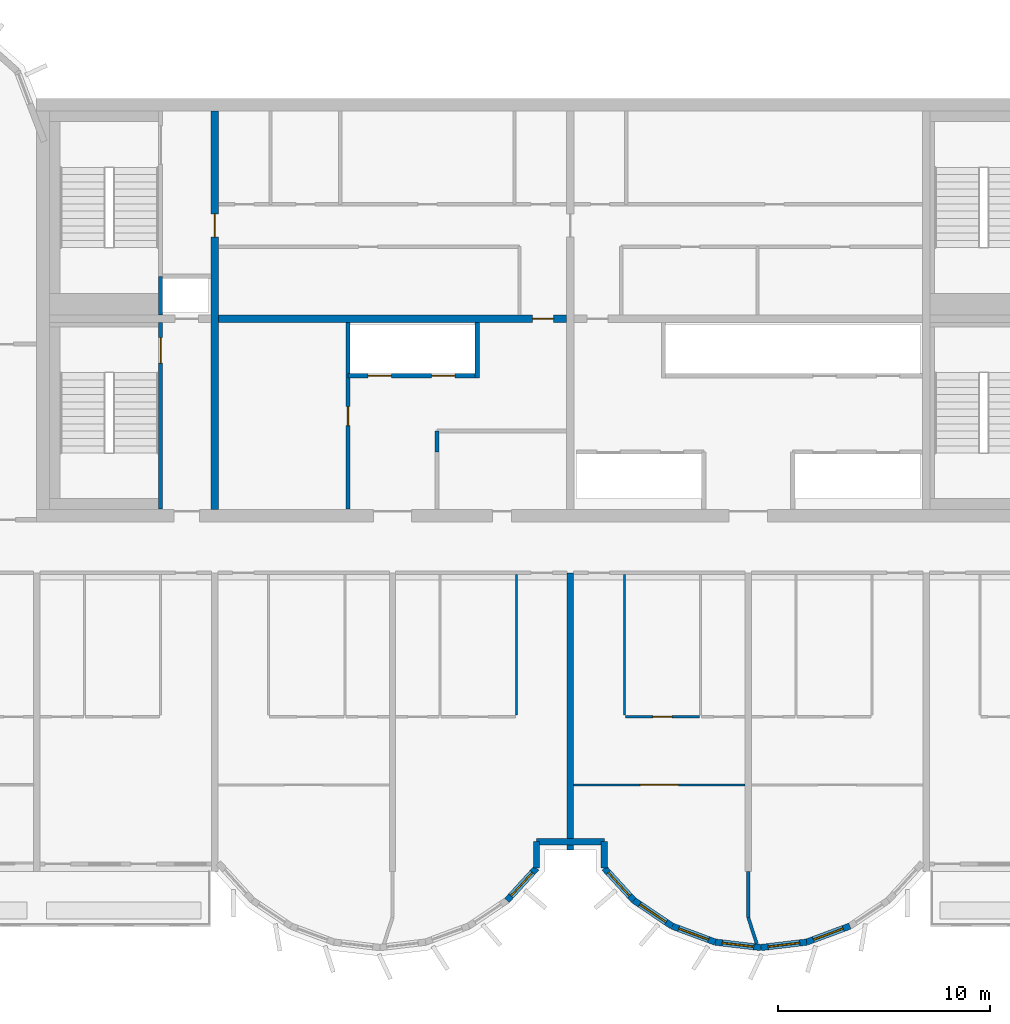
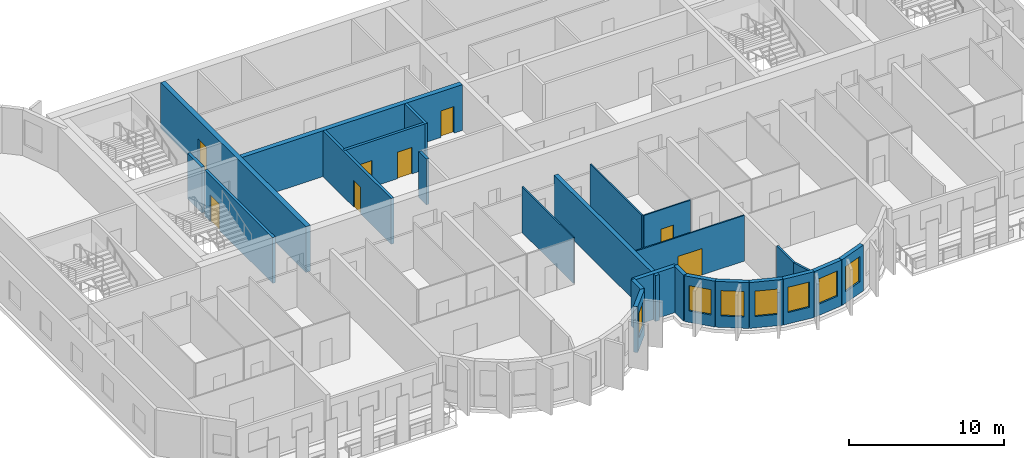
# One storey, part 4 of 11: 25 walls, 8 doors, 7 windows, 15 openings.
"""IFC4 building model written with IfcOpenShell, lengths in metres."""

from ifc_helpers import new_model, si_unit, direction, frame, frame_2d, origin, place, context, subcontext, project, spatial, rectangle, extrude, source, transform, mapped, material, layer, layer_set, type_object, element, fill, save


model = new_model("IFC4")

# Units and contexts
model_context = context("Model", 3, precision=1e-05, world=origin(), true_north=direction((0.0, 1.0)))
body_context = subcontext(model_context, "Body", "Model", "MODEL_VIEW")
ifc_project = project(units=[si_unit("LENGTHUNIT", "METRE"), si_unit("AREAUNIT", "SQUARE_METRE"), si_unit("VOLUMEUNIT", "CUBIC_METRE"), si_unit("PLANEANGLEUNIT", "RADIAN"), si_unit("MASSUNIT", "GRAM", prefix="KILO")], contexts=[model_context])

# Site, building, storey
site_placement = place(None, origin())
site = spatial("IfcSite", under=ifc_project, at=site_placement, CompositionType="ELEMENT")
building_placement = place(site_placement, origin())
building = spatial("IfcBuilding", under=site, at=building_placement, Name="Vanashikhar Sky Hotel", CompositionType="ELEMENT")
storey_placement = place(building_placement, frame((0.0, 0.0, 249.10009765625)))
storey = spatial("IfcBuildingStorey", under=building, at=storey_placement, Name="L60", CompositionType="ELEMENT", Elevation=249.10009765625)

# Wall, opening, door
ifc_material_1 = material(Name="Concrete M60", Category="concrete")
ifc_layer_1 = layer(ifc_material_1, 0.35009765625)
ifc_layer_set_1 = layer_set([ifc_layer_1], Name="RC core inner wall 350 Concrete M60")
wall_type_1 = type_object("IfcWallType", Name="RC core inner wall 350 Concrete M60", PredefinedType="SHEAR", material=ifc_layer_set_1)
shared_shape_1 = source(origin(), body_context, "Body", "SweptSolid", [
    extrude(rectangle(XDim=18.7998046875, YDim=0.35009765625, at=frame_2d((9.39990234375, 0.0))), origin(), (0.0, 0.0, 1.0), 3.619873046875),
])
wall_1_placement = place(storey_placement, frame((33.60009765625, 22.60009765625, 0.0), z_axis=(0.0, 0.0, 1.0), x_axis=(0.0, 1.0, 0.0)))
wall_1 = element("IfcWall", 1, at=wall_1_placement, inside=storey, type_object=wall_type_1, Name="KW-L60-KX1", PredefinedType="SHEAR", context=body_context, shape_type="MappedRepresentation", body=[
    mapped(shared_shape_1, transform((0.0, 0.0, 0.0), scale=1.0)),
])
shared_shape_2 = source(origin(), body_context, "Body", "SweptSolid", [
    extrude(rectangle(XDim=1.10009765625, YDim=2.10009765625, at=frame_2d((0.550048828125, 1.050048828125))), frame((0.0, 0.18505859375, 0.0), z_axis=(0.0, -1.0, 0.0), x_axis=(1.0, 0.0, 0.0)), (0.0, 0.0, 1.0), 0.3701171875),
])
opening_1_placement = place(wall_1_placement, frame((12.85009765625, 0.0, 0.0)))
opening_1 = element("IfcOpeningElement", 2, at=opening_1_placement, cuts=wall_1, Name="Opening DC-4-C", PredefinedType="OPENING", context=body_context, shape_type="MappedRepresentation", body=[
    mapped(shared_shape_2, transform((0.0, 0.0, 0.0), scale=1.0)),
])
ifc_material_2 = material(Name="Steel", Category="steel")
door_type_1 = type_object("IfcDoorType", Name="Service door 1100 FD60", OperationType="NOTDEFINED", PredefinedType="DOOR", material=ifc_material_2)
shared_shape_3 = source(origin(), body_context, "Body", "SweptSolid", [
    extrude(rectangle(XDim=1.10009765625, YDim=2.10009765625, at=frame_2d((0.550048828125, 1.050048828125))), frame((0.0, 0.02490234375, 0.0), z_axis=(0.0, -1.0, 0.0), x_axis=(1.0, 0.0, 0.0)), (0.0, 0.0, 1.0), 0.050048828125),
])
door_1_placement = place(opening_1_placement, origin())
door_1 = element("IfcDoor", 3, at=door_1_placement, inside=storey, type_object=door_type_1, Name="Service door 1100 FD60", OperationType="SINGLE_SWING_LEFT", OverallHeight=2.10009765625, OverallWidth=1.10009765625, PredefinedType="DOOR", context=body_context, shape_type="MappedRepresentation", body=[
    mapped(shared_shape_3, transform((0.0, 0.0, 0.0), scale=1.0)),
])
fill(opening_1, door_1)

shared_shape_4 = source(origin(), body_context, "Body", "SweptSolid", [
    extrude(rectangle(XDim=16.4501953125, YDim=0.35009765625, at=frame_2d((8.22509765625, 0.0))), origin(), (0.0, 0.0, 1.0), 3.619873046875),
])
wall_2_placement = place(storey_placement, frame((33.77490234375, 31.60009765625, 0.0), z_axis=(0.0, 0.0, 1.0), x_axis=(1.0, 0.0, 0.0)))
wall_2 = element("IfcWall", 4, at=wall_2_placement, inside=storey, type_object=wall_type_1, Name="KW-L60-KY2", PredefinedType="SHEAR", context=body_context, shape_type="MappedRepresentation", body=[
    mapped(shared_shape_4, transform((0.0, 0.0, 0.0), scale=1.0)),
])
shared_shape_5 = source(origin(), body_context, "Body", "SweptSolid", [
    extrude(rectangle(XDim=1.0, YDim=2.10009765625, at=frame_2d((0.5, 1.050048828125))), frame((0.0, 0.18505859375, 0.0), z_axis=(0.0, -1.0, 0.0), x_axis=(1.0, 0.0, 0.0)), (0.0, 0.0, 1.0), 0.3701171875),
])
opening_2_placement = place(wall_2_placement, frame((14.8369140625, 0.0, 0.0)))
opening_2 = element("IfcOpeningElement", 5, at=opening_2_placement, cuts=wall_2, Name="Opening DC-4", PredefinedType="OPENING", context=body_context, shape_type="MappedRepresentation", body=[
    mapped(shared_shape_5, transform((0.0, 0.0, 0.0), scale=1.0)),
])
door_type_2 = type_object("IfcDoorType", Name="Service door 1000 FD60", OperationType="NOTDEFINED", PredefinedType="DOOR", material=ifc_material_2)
shared_shape_6 = source(origin(), body_context, "Body", "SweptSolid", [
    extrude(rectangle(XDim=1.0, YDim=2.10009765625, at=frame_2d((0.5, 1.050048828125))), frame((0.0, 0.02490234375, 0.0), z_axis=(0.0, -1.0, 0.0), x_axis=(1.0, 0.0, 0.0)), (0.0, 0.0, 1.0), 0.050048828125),
])
door_2_placement = place(opening_2_placement, origin())
door_2 = element("IfcDoor", 6, at=door_2_placement, inside=storey, type_object=door_type_2, Name="Service door 1000 FD60", OperationType="SINGLE_SWING_LEFT", OverallHeight=2.10009765625, OverallWidth=1.0, PredefinedType="DOOR", context=body_context, shape_type="MappedRepresentation", body=[
    mapped(shared_shape_6, transform((0.0, 0.0, 0.0), scale=1.0)),
])
fill(opening_2, door_2)

# Wall
ifc_layer_2 = layer(ifc_material_1, 0.300048828125)
ifc_layer_set_2 = layer_set([ifc_layer_2], Name="RC shear wall 300 Concrete M60")
wall_type_2 = type_object("IfcWallType", Name="RC shear wall 300 Concrete M60", PredefinedType="SHEAR", material=ifc_layer_set_2)
shared_shape_7 = source(origin(), body_context, "Body", "SweptSolid", [
    extrude(rectangle(XDim=13.10009765625, YDim=0.300048828125, at=frame_2d((6.550048828125, 0.0))), origin(), (0.0, 0.0, 1.0), 3.619873046875),
])
wall_3_placement = place(storey_placement, frame((50.39990234375, 6.5, 0.0), z_axis=(0.0, 0.0, 1.0), x_axis=(0.0, 1.0, 0.0)))
element("IfcWall", 7, at=wall_3_placement, inside=storey, type_object=wall_type_2, Name="CW-L60-XW07-1", PredefinedType="SHEAR", context=body_context, shape_type="MappedRepresentation", body=[
    mapped(shared_shape_7, transform((0.0, 0.0, 0.0), scale=1.0)),
])

# Wall, opening, window
ifc_material_3 = material(Name="Concrete M50", Category="concrete")
ifc_layer_3 = layer(ifc_material_3, 0.300048828125)
ifc_layer_set_3 = layer_set([ifc_layer_3], Name="Lobe wall 300")
wall_type_3 = type_object("IfcWallType", Name="Lobe wall 300", PredefinedType="SOLIDWALL", material=ifc_layer_set_3)
shared_shape_8 = source(origin(), body_context, "Body", "SweptSolid", [
    extrude(rectangle(XDim=2.17578125, YDim=0.300048828125, at=frame_2d((1.087890625, 0.0))), origin(), (0.0, 0.0, 1.0), 3.619873046875),
])
wall_4_placement = place(storey_placement, frame((53.395751953125, 4.13134765625, 0.0), z_axis=(0.0, 0.0, 1.0), x_axis=(0.829590746428, -0.558371913192, 0.0)))
wall_4 = element("IfcWall", 8, at=wall_4_placement, inside=storey, type_object=wall_type_3, Name="Lobe wall", PredefinedType="SOLIDWALL", context=body_context, shape_type="MappedRepresentation", body=[
    mapped(shared_shape_8, transform((0.0, 0.0, 0.0), scale=1.0)),
])
shared_shape_9 = source(origin(), body_context, "Body", "SweptSolid", [
    extrude(rectangle(XDim=1.5, YDim=2.0, at=frame_2d((0.75, 1.0))), frame((0.0, 0.16015625, 0.0), z_axis=(0.0, -1.0, 0.0), x_axis=(1.0, 0.0, 0.0)), (0.0, 0.0, 1.0), 0.320068359375),
])
opening_3_placement = place(wall_4_placement, frame((0.337890625, 0.0, 0.89990234375)))
opening_3 = element("IfcOpeningElement", 9, at=opening_3_placement, cuts=wall_4, Name="Opening WN-2", PredefinedType="OPENING", context=body_context, shape_type="MappedRepresentation", body=[
    mapped(shared_shape_9, transform((0.0, 0.0, 0.0), scale=1.0)),
])
ifc_material_4 = material(Name="Glass", Category="glass")
window_type = type_object("IfcWindowType", Name="Lobe window 1500 x 2000", PartitioningType="SINGLE_PANEL", PredefinedType="WINDOW", material=ifc_material_4)
shared_shape_10 = source(origin(), body_context, "Body", "SweptSolid", [
    extrude(rectangle(XDim=1.5, YDim=2.0, at=frame_2d((0.75, 1.0))), frame((0.0, 0.030029296875, 0.0), z_axis=(0.0, -1.0, 0.0), x_axis=(1.0, 0.0, 0.0)), (0.0, 0.0, 1.0), 0.06005859375),
])
window_1_placement = place(opening_3_placement, origin())
window_1 = element("IfcWindow", 10, at=window_1_placement, inside=storey, type_object=window_type, Name="Window WN-2", OverallHeight=2.0, OverallWidth=1.5, PartitioningType="SINGLE_PANEL", PredefinedType="WINDOW", context=body_context, shape_type="MappedRepresentation", body=[
    mapped(shared_shape_10, transform((0.0, 0.0, 0.0), scale=1.0)),
])
fill(opening_3, window_1)

wall_5_placement = place(storey_placement, frame((55.20068359375, 2.91650390625, 0.0), z_axis=(0.0, 0.0, 1.0), x_axis=(0.93754555999, -0.347862505801, 0.0)))
wall_5 = element("IfcWall", 11, at=wall_5_placement, inside=storey, type_object=wall_type_3, Name="Lobe wall", PredefinedType="SOLIDWALL", context=body_context, shape_type="MappedRepresentation", body=[
    mapped(shared_shape_8, transform((0.0, 0.0, 0.0), scale=1.0)),
])
opening_4_placement = place(wall_5_placement, frame((0.337890625, 0.0, 0.89990234375)))
opening_4 = element("IfcOpeningElement", 12, at=opening_4_placement, cuts=wall_5, Name="Opening WN-2", PredefinedType="OPENING", context=body_context, shape_type="MappedRepresentation", body=[
    mapped(shared_shape_9, transform((0.0, 0.0, 0.0), scale=1.0)),
])
window_2_placement = place(opening_4_placement, origin())
window_2 = element("IfcWindow", 13, at=window_2_placement, inside=storey, type_object=window_type, Name="Window WN-2", OverallHeight=2.0, OverallWidth=1.5, PartitioningType="SINGLE_PANEL", PredefinedType="WINDOW", context=body_context, shape_type="MappedRepresentation", body=[
    mapped(shared_shape_10, transform((0.0, 0.0, 0.0), scale=1.0)),
])
fill(opening_4, window_2)

shared_shape_11 = source(origin(), body_context, "Body", "SweptSolid", [
    extrude(rectangle(XDim=2.174560546875, YDim=0.300048828125, at=frame_2d((1.08740234375, 0.0))), origin(), (0.0, 0.0, 1.0), 3.619873046875),
])
wall_6_placement = place(storey_placement, frame((57.240478515625, 2.15966796875, 0.0), z_axis=(0.0, 0.0, 1.0), x_axis=(0.993001132889, -0.118104826659, 0.0)))
wall_6 = element("IfcWall", 14, at=wall_6_placement, inside=storey, type_object=wall_type_3, Name="Lobe wall", PredefinedType="SOLIDWALL", context=body_context, shape_type="MappedRepresentation", body=[
    mapped(shared_shape_11, transform((0.0, 0.0, 0.0), scale=1.0)),
])
opening_5_placement = place(wall_6_placement, frame((0.33740234375, 0.0, 0.89990234375)))
opening_5 = element("IfcOpeningElement", 15, at=opening_5_placement, cuts=wall_6, Name="Opening WN-2", PredefinedType="OPENING", context=body_context, shape_type="MappedRepresentation", body=[
    mapped(shared_shape_9, transform((0.0, 0.0, 0.0), scale=1.0)),
])
window_3_placement = place(opening_5_placement, origin())
window_3 = element("IfcWindow", 16, at=window_3_placement, inside=storey, type_object=window_type, Name="Window WN-2", OverallHeight=2.0, OverallWidth=1.5, PartitioningType="SINGLE_PANEL", PredefinedType="WINDOW", context=body_context, shape_type="MappedRepresentation", body=[
    mapped(shared_shape_10, transform((0.0, 0.0, 0.0), scale=1.0)),
])
fill(opening_5, window_3)

shared_shape_12 = source(origin(), body_context, "Body", "SweptSolid", [
    extrude(rectangle(XDim=2.1748046875, YDim=0.300048828125, at=frame_2d((1.08740234375, 0.0))), origin(), (0.0, 0.0, 1.0), 3.619873046875),
])
wall_7_placement = place(storey_placement, frame((59.39990234375, 1.90283203125, 0.0), z_axis=(0.0, 0.0, 1.0), x_axis=(0.993002698611, 0.118091661648, 0.0)))
wall_7 = element("IfcWall", 17, at=wall_7_placement, inside=storey, type_object=wall_type_3, Name="Lobe wall", PredefinedType="SOLIDWALL", context=body_context, shape_type="MappedRepresentation", body=[
    mapped(shared_shape_12, transform((0.0, 0.0, 0.0), scale=1.0)),
])
opening_6_placement = place(wall_7_placement, frame((0.33740234375, 0.0, 0.89990234375)))
opening_6 = element("IfcOpeningElement", 18, at=opening_6_placement, cuts=wall_7, Name="Opening WN-2", PredefinedType="OPENING", context=body_context, shape_type="MappedRepresentation", body=[
    mapped(shared_shape_9, transform((0.0, 0.0, 0.0), scale=1.0)),
])
window_4_placement = place(opening_6_placement, origin())
window_4 = element("IfcWindow", 19, at=window_4_placement, inside=storey, type_object=window_type, Name="Window WN-2", OverallHeight=2.0, OverallWidth=1.5, PartitioningType="SINGLE_PANEL", PredefinedType="WINDOW", context=body_context, shape_type="MappedRepresentation", body=[
    mapped(shared_shape_10, transform((0.0, 0.0, 0.0), scale=1.0)),
])
fill(opening_6, window_4)

shared_shape_13 = source(origin(), body_context, "Body", "SweptSolid", [
    extrude(rectangle(XDim=2.175537109375, YDim=0.300048828125, at=frame_2d((1.087890625, 0.0))), origin(), (0.0, 0.0, 1.0), 3.619873046875),
])
wall_8_placement = place(storey_placement, frame((61.5595703125, 2.15966796875, 0.0), z_axis=(0.0, 0.0, 1.0), x_axis=(0.937531979054, 0.347899106424, 0.0)))
wall_8 = element("IfcWall", 20, at=wall_8_placement, inside=storey, type_object=wall_type_3, Name="Lobe wall", PredefinedType="SOLIDWALL", context=body_context, shape_type="MappedRepresentation", body=[
    mapped(shared_shape_13, transform((0.0, 0.0, 0.0), scale=1.0)),
])
opening_7_placement = place(wall_8_placement, frame((0.337890625, 0.0, 0.89990234375)))
opening_7 = element("IfcOpeningElement", 21, at=opening_7_placement, cuts=wall_8, Name="Opening WN-2", PredefinedType="OPENING", context=body_context, shape_type="MappedRepresentation", body=[
    mapped(shared_shape_9, transform((0.0, 0.0, 0.0), scale=1.0)),
])
window_5_placement = place(opening_7_placement, origin())
window_5 = element("IfcWindow", 22, at=window_5_placement, inside=storey, type_object=window_type, Name="Window WN-2", OverallHeight=2.0, OverallWidth=1.5, PartitioningType="SINGLE_PANEL", PredefinedType="WINDOW", context=body_context, shape_type="MappedRepresentation", body=[
    mapped(shared_shape_10, transform((0.0, 0.0, 0.0), scale=1.0)),
])
fill(opening_7, window_5)

shared_shape_14 = source(origin(), body_context, "Body", "SweptSolid", [
    extrude(rectangle(XDim=2.066650390625, YDim=0.300048828125, at=frame_2d((1.033203125, 0.0))), origin(), (0.0, 0.0, 1.0), 3.619873046875),
])
wall_9_placement = place(storey_placement, frame((47.404296875, 4.13134765625, 0.0), z_axis=(0.0, 0.0, 1.0), x_axis=(0.675355439877, 0.737492393065, 0.0)))
wall_9 = element("IfcWall", 23, at=wall_9_placement, inside=storey, type_object=wall_type_3, Name="Lobe wall", PredefinedType="SOLIDWALL", context=body_context, shape_type="MappedRepresentation", body=[
    mapped(shared_shape_14, transform((0.0, 0.0, 0.0), scale=1.0)),
])
opening_8_placement = place(wall_9_placement, frame((0.283447265625, 0.0, 0.89990234375)))
opening_8 = element("IfcOpeningElement", 24, at=opening_8_placement, cuts=wall_9, Name="Opening WN-2", PredefinedType="OPENING", context=body_context, shape_type="MappedRepresentation", body=[
    mapped(shared_shape_9, transform((0.0, 0.0, 0.0), scale=1.0)),
])
window_6_placement = place(opening_8_placement, origin())
window_6 = element("IfcWindow", 25, at=window_6_placement, inside=storey, type_object=window_type, Name="Window WN-2", OverallHeight=2.0, OverallWidth=1.5, PartitioningType="SINGLE_PANEL", PredefinedType="WINDOW", context=body_context, shape_type="MappedRepresentation", body=[
    mapped(shared_shape_10, transform((0.0, 0.0, 0.0), scale=1.0)),
])
fill(opening_8, window_6)

wall_10_placement = place(storey_placement, frame((52.0, 5.655517578125, 0.0), z_axis=(0.0, 0.0, 1.0), x_axis=(0.675355439877, -0.737492393065, 0.0)))
wall_10 = element("IfcWall", 26, at=wall_10_placement, inside=storey, type_object=wall_type_3, Name="Lobe wall", PredefinedType="SOLIDWALL", context=body_context, shape_type="MappedRepresentation", body=[
    mapped(shared_shape_14, transform((0.0, 0.0, 0.0), scale=1.0)),
])
opening_9_placement = place(wall_10_placement, frame((0.283447265625, 0.0, 0.89990234375)))
opening_9 = element("IfcOpeningElement", 27, at=opening_9_placement, cuts=wall_10, Name="Opening WN-2", PredefinedType="OPENING", context=body_context, shape_type="MappedRepresentation", body=[
    mapped(shared_shape_9, transform((0.0, 0.0, 0.0), scale=1.0)),
])
window_7_placement = place(opening_9_placement, origin())
window_7 = element("IfcWindow", 28, at=window_7_placement, inside=storey, type_object=window_type, Name="Window WN-2", OverallHeight=2.0, OverallWidth=1.5, PartitioningType="SINGLE_PANEL", PredefinedType="WINDOW", context=body_context, shape_type="MappedRepresentation", body=[
    mapped(shared_shape_10, transform((0.0, 0.0, 0.0), scale=1.0)),
])
fill(opening_9, window_7)

# Walls
shared_shape_15 = source(origin(), body_context, "Body", "SweptSolid", [
    extrude(rectangle(XDim=1.244384765625, YDim=0.300048828125, at=frame_2d((0.6220703125, 0.0))), origin(), (0.0, 0.0, 1.0), 3.619873046875),
])
for number, where, z_axis, x_axis, name in (
    (29, (48.800048828125, 5.655517578125, 0.0), (0.0, 0.0, 1.0), (0.0, 1.0, 0.0), "Groove wall"),
    (30, (52.0, 6.89990234375, 0.0), (0.0, 0.0, 1.0), (0.0, -1.0, 0.0), "Groove wall"),
):
    element("IfcWall", number, at=place(storey_placement, frame(where, z_axis=z_axis, x_axis=x_axis)), inside=storey, type_object=wall_type_3, Name=name, PredefinedType="SOLIDWALL", context=body_context, shape_type="MappedRepresentation", body=[
        mapped(shared_shape_15, transform((0.0, 0.0, 0.0), scale=1.0)),
    ])
shared_shape_16 = source(origin(), body_context, "Body", "SweptSolid", [
    extrude(rectangle(XDim=3.199951171875, YDim=0.300048828125, at=frame_2d((1.60009765625, 0.0))), origin(), (0.0, 0.0, 1.0), 3.619873046875),
])
wall_11_placement = place(storey_placement, frame((48.800048828125, 6.89990234375, 0.0), z_axis=(0.0, 0.0, 1.0), x_axis=(1.0, 0.0, 0.0)))
element("IfcWall", 31, at=wall_11_placement, inside=storey, type_object=wall_type_3, Name="Groove wall", PredefinedType="SOLIDWALL", context=body_context, shape_type="MappedRepresentation", body=[
    mapped(shared_shape_16, transform((0.0, 0.0, 0.0), scale=1.0)),
])

# Wall, openings, doors
ifc_material_5 = material(Name="Concrete M40", Category="concrete")
ifc_layer_4 = layer(ifc_material_5, 0.199951171875)
ifc_layer_set_4 = layer_set([ifc_layer_4], Name="Shaft wall 200")
wall_type_4 = type_object("IfcWallType", Name="Shaft wall 200", PredefinedType="SOLIDWALL", material=ifc_layer_set_4)
shared_shape_17 = source(origin(), body_context, "Body", "SweptSolid", [
    extrude(rectangle(XDim=6.0, YDim=0.199951171875, at=frame_2d((3.0, 0.0))), origin(), (0.0, 0.0, 1.0), 3.619873046875),
])
wall_12_placement = place(storey_placement, frame((39.89990234375, 28.89990234375, 0.0), z_axis=(0.0, 0.0, 1.0), x_axis=(1.0, 0.0, 0.0)))
wall_12 = element("IfcWall", 32, at=wall_12_placement, inside=storey, type_object=wall_type_4, Name="Shaft wall 200", PredefinedType="SOLIDWALL", context=body_context, shape_type="MappedRepresentation", body=[
    mapped(shared_shape_17, transform((0.0, 0.0, 0.0), scale=1.0)),
])
shared_shape_18 = source(origin(), body_context, "Body", "SweptSolid", [
    extrude(rectangle(XDim=1.10009765625, YDim=2.10009765625, at=frame_2d((0.550048828125, 1.050048828125))), frame((0.0, 0.10986328125, 0.0), z_axis=(0.0, -1.0, 0.0), x_axis=(1.0, 0.0, 0.0)), (0.0, 0.0, 1.0), 0.219970703125),
])
opening_10_placement = place(wall_12_placement, frame((0.949951171875, 0.0, 0.0)))
opening_10 = element("IfcOpeningElement", 33, at=opening_10_placement, cuts=wall_12, Name="Opening LD", PredefinedType="OPENING", context=body_context, shape_type="MappedRepresentation", body=[
    mapped(shared_shape_18, transform((0.0, 0.0, 0.0), scale=1.0)),
])
opening_11_placement = place(wall_12_placement, frame((3.949951171875, 0.0, 0.0)))
opening_11 = element("IfcOpeningElement", 34, at=opening_11_placement, cuts=wall_12, Name="Opening LD", PredefinedType="OPENING", context=body_context, shape_type="MappedRepresentation", body=[
    mapped(shared_shape_18, transform((0.0, 0.0, 0.0), scale=1.0)),
])
ifc_material_6 = material(Name="Stainless steel", Category="steel")
door_type_3 = type_object("IfcDoorType", Name="Lift landing door 1100", OperationType="NOTDEFINED", PredefinedType="DOOR", material=ifc_material_6)
door_3_placement = place(opening_10_placement, origin())
door_3 = element("IfcDoor", 35, at=door_3_placement, inside=storey, type_object=door_type_3, Name="Lift landing door 1100", OperationType="SLIDING_TO_LEFT", OverallHeight=2.10009765625, OverallWidth=1.10009765625, PredefinedType="DOOR", context=body_context, shape_type="MappedRepresentation", body=[
    mapped(shared_shape_3, transform((0.0, 0.0, 0.0), scale=1.0)),
])
fill(opening_10, door_3)
door_4_placement = place(opening_11_placement, origin())
door_4 = element("IfcDoor", 36, at=door_4_placement, inside=storey, type_object=door_type_3, Name="Lift landing door 1100", OperationType="SLIDING_TO_RIGHT", OverallHeight=2.10009765625, OverallWidth=1.10009765625, PredefinedType="DOOR", context=body_context, shape_type="MappedRepresentation", body=[
    mapped(shared_shape_3, transform((0.0, 0.0, 0.0), scale=1.0)),
])
fill(opening_11, door_4)

# Wall, opening, door
ifc_material_7 = material(Name="Gypsum board partition")
ifc_layer_5 = layer(ifc_material_7, 0.14990234375)
ifc_layer_set_5 = layer_set([ifc_layer_5], Name="Service partition 150")
wall_type_5 = type_object("IfcWallType", Name="Service partition 150", PredefinedType="PARTITIONING", material=ifc_layer_set_5)
shared_shape_19 = source(origin(), body_context, "Body", "SweptSolid", [
    extrude(rectangle(XDim=8.824951171875, YDim=0.199951171875, at=frame_2d((4.41259765625, 0.0))), origin(), (0.0, 0.0, 1.0), 3.619873046875),
])
wall_13_placement = place(storey_placement, frame((39.89990234375, 22.60009765625, 0.0), z_axis=(0.0, 0.0, 1.0), x_axis=(0.0, 1.0, 0.0)))
wall_13 = element("IfcWall", 37, at=wall_13_placement, inside=storey, type_object=wall_type_5, Name="Service partition 150", PredefinedType="PARTITIONING", context=body_context, shape_type="MappedRepresentation", body=[
    mapped(shared_shape_19, transform((0.0, 0.0, 0.0), scale=1.0)),
])
shared_shape_20 = source(origin(), body_context, "Body", "SweptSolid", [
    extrude(rectangle(XDim=0.89990234375, YDim=2.10009765625, at=frame_2d((0.449951171875, 1.050048828125))), frame((0.0, 0.10986328125, 0.0), z_axis=(0.0, -1.0, 0.0), x_axis=(1.0, 0.0, 0.0)), (0.0, 0.0, 1.0), 0.219970703125),
])
opening_12_placement = place(wall_13_placement, frame((3.949951171875, 0.0, 0.0)))
opening_12 = element("IfcOpeningElement", 38, at=opening_12_placement, cuts=wall_13, Name="Opening DC-4-A", PredefinedType="OPENING", context=body_context, shape_type="MappedRepresentation", body=[
    mapped(shared_shape_20, transform((0.0, 0.0, 0.0), scale=1.0)),
])
door_type_4 = type_object("IfcDoorType", Name="Service door 900 FD60", OperationType="NOTDEFINED", PredefinedType="DOOR", material=ifc_material_2)
shared_shape_21 = source(origin(), body_context, "Body", "SweptSolid", [
    extrude(rectangle(XDim=0.89990234375, YDim=2.10009765625, at=frame_2d((0.449951171875, 1.050048828125))), frame((0.0, 0.02490234375, 0.0), z_axis=(0.0, -1.0, 0.0), x_axis=(1.0, 0.0, 0.0)), (0.0, 0.0, 1.0), 0.050048828125),
])
door_5_placement = place(opening_12_placement, origin())
door_5 = element("IfcDoor", 39, at=door_5_placement, inside=storey, type_object=door_type_4, Name="Service door 900 FD60", OperationType="SINGLE_SWING_RIGHT", OverallHeight=2.10009765625, OverallWidth=0.89990234375, PredefinedType="DOOR", context=body_context, shape_type="MappedRepresentation", body=[
    mapped(shared_shape_21, transform((0.0, 0.0, 0.0), scale=1.0)),
])
fill(opening_12, door_5)

# Walls
shared_shape_22 = source(origin(), body_context, "Body", "SweptSolid", [
    extrude(rectangle(XDim=2.625, YDim=0.199951171875, at=frame_2d((1.3125, 0.0))), origin(), (0.0, 0.0, 1.0), 3.619873046875),
])
wall_14_placement = place(storey_placement, frame((46.0, 28.800048828125, 0.0), z_axis=(0.0, 0.0, 1.0), x_axis=(0.0, 1.0, 0.0)))
element("IfcWall", 40, at=wall_14_placement, inside=storey, type_object=wall_type_4, Name="Shaft wall 200", PredefinedType="SOLIDWALL", context=body_context, shape_type="MappedRepresentation", body=[
    mapped(shared_shape_22, transform((0.0, 0.0, 0.0), scale=1.0)),
])
shared_shape_23 = source(origin(), body_context, "Body", "SweptSolid", [
    extrude(rectangle(XDim=1.0, YDim=0.199951171875, at=frame_2d((0.5, 0.0))), origin(), (0.0, 0.0, 1.0), 3.619873046875),
])
wall_15_placement = place(storey_placement, frame((44.10009765625, 25.300048828125, 0.0), z_axis=(0.0, 0.0, 1.0), x_axis=(0.0, 1.0, 0.0)))
element("IfcWall", 41, at=wall_15_placement, inside=storey, type_object=wall_type_5, Name="Service partition 150", PredefinedType="PARTITIONING", context=body_context, shape_type="MappedRepresentation", body=[
    mapped(shared_shape_23, transform((0.0, 0.0, 0.0), scale=1.0)),
])

# Wall, opening, door
ifc_layer_6 = layer(ifc_material_3, 0.199951171875)
ifc_layer_set_6 = layer_set([ifc_layer_6], Name="Stair wall 200")
wall_type_6 = type_object("IfcWallType", Name="Stair wall 200", PredefinedType="SOLIDWALL", material=ifc_layer_set_6)
shared_shape_24 = source(origin(), body_context, "Body", "SweptSolid", [
    extrude(rectangle(XDim=8.824951171875, YDim=0.199951171875, at=frame_2d((4.41259765625, 0.0))), origin(), (0.0, 0.0, 1.0), 3.619873046875),
])
wall_16_placement = place(storey_placement, frame((31.050048828125, 22.60009765625, 0.0), z_axis=(0.0, 0.0, 1.0), x_axis=(0.0, 1.0, 0.0)))
wall_16 = element("IfcWall", 42, at=wall_16_placement, inside=storey, type_object=wall_type_6, Name="Stair wall 200", PredefinedType="SOLIDWALL", context=body_context, shape_type="MappedRepresentation", body=[
    mapped(shared_shape_24, transform((0.0, 0.0, 0.0), scale=1.0)),
])
shared_shape_25 = source(origin(), body_context, "Body", "SweptSolid", [
    extrude(rectangle(XDim=1.199951171875, YDim=2.10009765625, at=frame_2d((0.60009765625, 1.050048828125))), frame((0.0, 0.10986328125, 0.0), z_axis=(0.0, -1.0, 0.0), x_axis=(1.0, 0.0, 0.0)), (0.0, 0.0, 1.0), 0.219970703125),
])
opening_13_placement = place(wall_16_placement, frame((6.89990234375, 0.0, 0.0)))
opening_13 = element("IfcOpeningElement", 43, at=opening_13_placement, cuts=wall_16, Name="Opening DC-1", PredefinedType="OPENING", context=body_context, shape_type="MappedRepresentation", body=[
    mapped(shared_shape_25, transform((0.0, 0.0, 0.0), scale=1.0)),
])
door_type_5 = type_object("IfcDoorType", Name="Stair door 1200 FD120", OperationType="NOTDEFINED", PredefinedType="DOOR", material=ifc_material_2)
shared_shape_26 = source(origin(), body_context, "Body", "SweptSolid", [
    extrude(rectangle(XDim=1.199951171875, YDim=2.10009765625, at=frame_2d((0.60009765625, 1.050048828125))), frame((0.0, 0.02490234375, 0.0), z_axis=(0.0, -1.0, 0.0), x_axis=(1.0, 0.0, 0.0)), (0.0, 0.0, 1.0), 0.050048828125),
])
door_6_placement = place(opening_13_placement, origin())
door_6 = element("IfcDoor", 44, at=door_6_placement, inside=storey, type_object=door_type_5, Name="Stair door 1200 FD120", OperationType="SINGLE_SWING_LEFT", OverallHeight=2.10009765625, OverallWidth=1.199951171875, PredefinedType="DOOR", context=body_context, shape_type="MappedRepresentation", body=[
    mapped(shared_shape_26, transform((0.0, 0.0, 0.0), scale=1.0)),
])
fill(opening_13, door_6)

# Wall
shared_shape_27 = source(origin(), body_context, "Body", "SweptSolid", [
    extrude(rectangle(XDim=1.8251953125, YDim=0.199951171875, at=frame_2d((0.91259765625, 0.0))), origin(), (0.0, 0.0, 1.0), 3.619873046875),
])
wall_17_placement = place(storey_placement, frame((31.050048828125, 31.77490234375, 0.0), z_axis=(0.0, 0.0, 1.0), x_axis=(0.0, 1.0, 0.0)))
element("IfcWall", 45, at=wall_17_placement, inside=storey, type_object=wall_type_4, Name="Shaft wall 200", PredefinedType="SOLIDWALL", context=body_context, shape_type="MappedRepresentation", body=[
    mapped(shared_shape_27, transform((0.0, 0.0, 0.0), scale=1.0)),
])

# Wall, opening, door
ifc_material_8 = material(Name="Gypsum plasterboard partition")
ifc_layer_7 = layer(ifc_material_8, 0.10009765625)
ifc_layer_set_7 = layer_set([ifc_layer_7], Name="Wet room partition 100")
wall_type_7 = type_object("IfcWallType", Name="Wet room partition 100", PredefinedType="PARTITIONING", material=ifc_layer_set_7)
shared_shape_28 = source(origin(), body_context, "Body", "SweptSolid", [
    extrude(rectangle(XDim=3.5, YDim=0.10009765625, at=frame_2d((1.75, 0.0))), origin(), (0.0, 0.0, 1.0), 3.619873046875),
])
wall_18_placement = place(storey_placement, frame((53.0, 12.800048828125, 0.0), z_axis=(0.0, 0.0, 1.0), x_axis=(1.0, 0.0, 0.0)))
wall_18 = element("IfcWall", 46, at=wall_18_placement, inside=storey, type_object=wall_type_7, Name="W-L60-PW025", PredefinedType="PARTITIONING", context=body_context, shape_type="MappedRepresentation", body=[
    mapped(shared_shape_28, transform((0.0, 0.0, 0.0), scale=1.0)),
])
shared_shape_29 = source(origin(), body_context, "Body", "SweptSolid", [
    extrude(rectangle(XDim=0.89990234375, YDim=2.10009765625, at=frame_2d((0.449951171875, 1.050048828125))), frame((0.0, 0.06005859375, 0.0), z_axis=(0.0, -1.0, 0.0), x_axis=(1.0, 0.0, 0.0)), (0.0, 0.0, 1.0), 0.1201171875),
])
opening_14_placement = place(wall_18_placement, frame((1.300048828125, 0.0, 0.0)))
opening_14 = element("IfcOpeningElement", 47, at=opening_14_placement, cuts=wall_18, Name="Opening D-02", PredefinedType="OPENING", context=body_context, shape_type="MappedRepresentation", body=[
    mapped(shared_shape_29, transform((0.0, 0.0, 0.0), scale=1.0)),
])
ifc_material_9 = material(Name="Timber door", Category="wood")
door_type_6 = type_object("IfcDoorType", Name="Internal door 900", OperationType="NOTDEFINED", PredefinedType="DOOR", material=ifc_material_9)
door_7_placement = place(opening_14_placement, origin())
door_7 = element("IfcDoor", 48, at=door_7_placement, inside=storey, type_object=door_type_6, Name="D-L60-015", OperationType="SINGLE_SWING_LEFT", OverallHeight=2.10009765625, OverallWidth=0.89990234375, PredefinedType="DOOR", context=body_context, shape_type="MappedRepresentation", body=[
    mapped(shared_shape_21, transform((0.0, 0.0, 0.0), scale=1.0)),
])
fill(opening_14, door_7)

# Walls
ifc_layer_8 = layer(ifc_material_8, 0.14990234375)
ifc_layer_set_8 = layer_set([ifc_layer_8], Name="Corridor and demising partition 150")
wall_type_8 = type_object("IfcWallType", Name="Corridor and demising partition 150", PredefinedType="PARTITIONING", material=ifc_layer_set_8)
shared_shape_30 = source(origin(), body_context, "Body", "SweptSolid", [
    extrude(rectangle(XDim=2.177978515625, YDim=0.14990234375, at=frame_2d((1.0888671875, 0.0))), origin(), (0.0, 0.0, 1.0), 3.619873046875),
])
wall_19_placement = place(storey_placement, frame((58.800048828125, 3.322021484375, 0.0), z_axis=(0.0, 0.0, 1.0), x_axis=(0.0, 1.0, 0.0)))
element("IfcWall", 49, at=wall_19_placement, inside=storey, type_object=wall_type_8, Name="W-L60-PW049", PredefinedType="PARTITIONING", context=body_context, shape_type="MappedRepresentation", body=[
    mapped(shared_shape_30, transform((0.0, 0.0, 0.0), scale=1.0)),
])
shared_shape_31 = source(origin(), body_context, "Body", "SweptSolid", [
    extrude(rectangle(XDim=1.308349609375, YDim=0.14990234375, at=frame_2d((0.654296875, 0.0))), origin(), (0.0, 0.0, 1.0), 3.619873046875),
])
wall_20_placement = place(storey_placement, frame((59.201904296875, 2.076904296875, 0.0), z_axis=(0.0, 0.0, 1.0), x_axis=(-0.307144529633, 0.951662880392, 0.0)))
element("IfcWall", 50, at=wall_20_placement, inside=storey, type_object=wall_type_8, Name="W-L60-PW049B0", PredefinedType="PARTITIONING", context=body_context, shape_type="MappedRepresentation", body=[
    mapped(shared_shape_31, transform((0.0, 0.0, 0.0), scale=1.0)),
])
shared_shape_32 = source(origin(), body_context, "Body", "SweptSolid", [
    extrude(rectangle(XDim=6.64990234375, YDim=0.10009765625, at=frame_2d((3.324951171875, 0.0))), origin(), (0.0, 0.0, 1.0), 3.619873046875),
])
for number, where, z_axis, x_axis, name in (
    (51, (47.85009765625, 12.875, 0.0), (0.0, 0.0, 1.0), (0.0, 1.0, 0.0), "W-L60-PW018"),
    (52, (52.949951171875, 12.875, 0.0), (0.0, 0.0, 1.0), (0.0, 1.0, 0.0), "W-L60-PW023"),
):
    element("IfcWall", number, at=place(storey_placement, frame(where, z_axis=z_axis, x_axis=x_axis)), inside=storey, type_object=wall_type_7, Name=name, PredefinedType="PARTITIONING", context=body_context, shape_type="MappedRepresentation", body=[
        mapped(shared_shape_32, transform((0.0, 0.0, 0.0), scale=1.0)),
    ])

# Wall, opening, door
shared_shape_33 = source(origin(), body_context, "Body", "SweptSolid", [
    extrude(rectangle(XDim=8.099853515625, YDim=0.10009765625, at=frame_2d((4.0498046875, 0.0))), origin(), (0.0, 0.0, 1.0), 3.619873046875),
])
wall_21_placement = place(storey_placement, frame((50.550048828125, 9.58203125, 0.0), z_axis=(0.0, 0.0, 1.0), x_axis=(1.0, 0.0, 0.0)))
wall_21 = element("IfcWall", 53, at=wall_21_placement, inside=storey, type_object=wall_type_7, Name="W-L60-PW027", PredefinedType="PARTITIONING", context=body_context, shape_type="MappedRepresentation", body=[
    mapped(shared_shape_33, transform((0.0, 0.0, 0.0), scale=1.0)),
])
shared_shape_34 = source(origin(), body_context, "Body", "SweptSolid", [
    extrude(rectangle(XDim=1.800048828125, YDim=2.10009765625, at=frame_2d((0.89990234375, 1.050048828125))), frame((0.0, 0.06005859375, 0.0), z_axis=(0.0, -1.0, 0.0), x_axis=(1.0, 0.0, 0.0)), (0.0, 0.0, 1.0), 0.1201171875),
])
opening_15_placement = place(wall_21_placement, frame((3.14990234375, 0.0, 0.0)))
opening_15 = element("IfcOpeningElement", 54, at=opening_15_placement, cuts=wall_21, Name="Opening D-08", PredefinedType="OPENING", context=body_context, shape_type="MappedRepresentation", body=[
    mapped(shared_shape_34, transform((0.0, 0.0, 0.0), scale=1.0)),
])
door_type_7 = type_object("IfcDoorType", Name="Double leaf door 1800", OperationType="NOTDEFINED", PredefinedType="DOOR", material=ifc_material_9)
shared_shape_35 = source(origin(), body_context, "Body", "SweptSolid", [
    extrude(rectangle(XDim=1.800048828125, YDim=2.10009765625, at=frame_2d((0.89990234375, 1.050048828125))), frame((0.0, 0.02490234375, 0.0), z_axis=(0.0, -1.0, 0.0), x_axis=(1.0, 0.0, 0.0)), (0.0, 0.0, 1.0), 0.050048828125),
])
door_8_placement = place(opening_15_placement, origin())
door_8 = element("IfcDoor", 55, at=door_8_placement, inside=storey, type_object=door_type_7, Name="D-L60-017", OperationType="DOUBLE_DOOR_SINGLE_SWING", OverallHeight=2.10009765625, OverallWidth=1.800048828125, PredefinedType="DOOR", context=body_context, shape_type="MappedRepresentation", body=[
    mapped(shared_shape_35, transform((0.0, 0.0, 0.0), scale=1.0)),
])
fill(opening_15, door_8)

save(model, "model.ifc")
